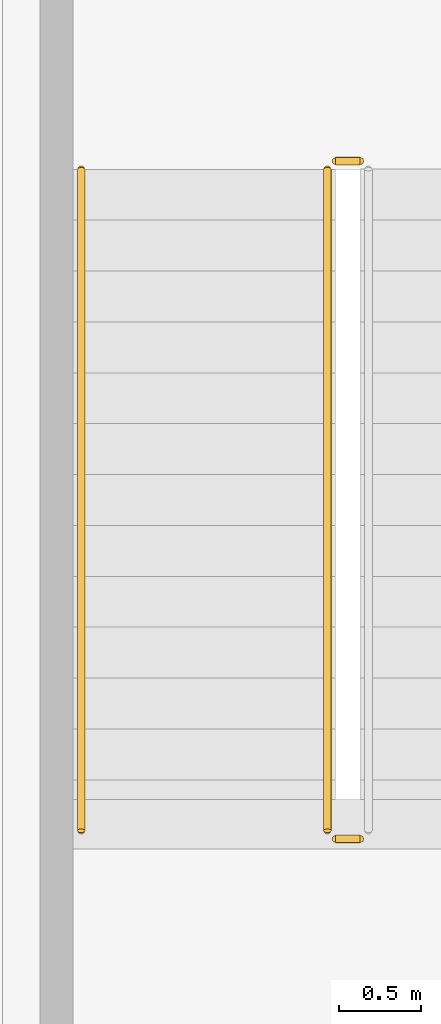
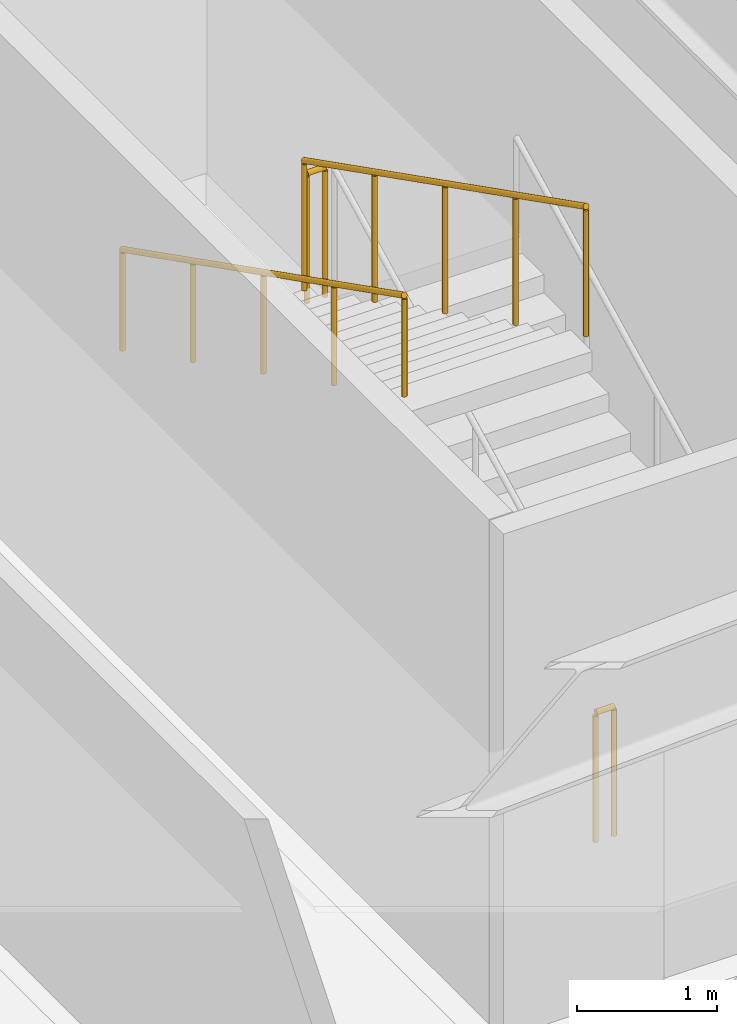
# One storey, part 19 of 24: 4 railings.
"""IFC4 building model written with IfcOpenShell, lengths in metres."""

from ifc_helpers import new_model, si_unit, direction, frame, origin, origin_2d, place, context, subcontext, project, spatial, circle, extrude, material, type_object, element, save


model = new_model("IFC4")

# Units and contexts
model_context = context("Model", 3, precision=1e-05, world=origin(), true_north=direction((0.0, 1.0)))
body_context = subcontext(model_context, "Body", "Model", "MODEL_VIEW")
ifc_project = project(units=[si_unit("LENGTHUNIT", "METRE"), si_unit("AREAUNIT", "SQUARE_METRE"), si_unit("VOLUMEUNIT", "CUBIC_METRE"), si_unit("PLANEANGLEUNIT", "RADIAN"), si_unit("MASSUNIT", "GRAM", prefix="KILO")], contexts=[model_context])

# Site, building, storey
site_placement = place(None, origin())
site = spatial("IfcSite", under=ifc_project, at=site_placement, CompositionType="ELEMENT")
building_placement = place(site_placement, origin())
building = spatial("IfcBuilding", under=site, at=building_placement, Name="Vaeldorn Concourse Tower", CompositionType="ELEMENT")
storey_placement = place(building_placement, frame((0.0, 0.0, 10.0)))
storey = spatial("IfcBuildingStorey", under=building, at=storey_placement, Name="L02", CompositionType="ELEMENT", Elevation=10.0)

# Railings
ifc_material = material(Name="Anodised Bronze Aluminium", Category="aluminium")
railing_type_1 = type_object("IfcRailingType", Name="RL-STAIR-GUARD", PredefinedType="GUARDRAIL", material=ifc_material)
railing_1_placement = place(storey_placement, frame((64.0, 8.929931640625, 2.199951171875)))
element("IfcRailing", 1, at=railing_1_placement, inside=storey, type_object=railing_type_1, Name="L02 ST-5 stair guard 2", PredefinedType="GUARDRAIL", context=body_context, shape_type="SweptSolid", body=[
    extrude(circle(Radius=0.02392578125, at=origin_2d()), frame((0.0, 0.0, 1.1259765625), z_axis=(-1.0, 0.0, 0.0), x_axis=(0.0, -1.0, 0.0)), (0.0, 0.0, 1.0), 0.14990234375),
    extrude(circle(Radius=0.02099609375, at=origin_2d()), origin(), (0.0, 0.0, 1.0), 1.101806640625),
    extrude(circle(Radius=0.02099609375, at=origin_2d()), frame((-0.14990234375, 0.0, 0.0)), (0.0, 0.0, 1.0), 1.101806640625),
])
railing_2_placement = place(storey_placement, frame((63.800048828125, 8.8798828125, 2.357177734375)))
element("IfcRailing", 2, at=railing_2_placement, inside=storey, type_object=railing_type_1, Name="L02 ST-5 stair guard 3", PredefinedType="GUARDRAIL", context=body_context, shape_type="SweptSolid", body=[
    extrude(circle(Radius=0.02392578125, at=origin_2d()), frame((0.0, 0.0, 1.1259765625), z_axis=(0.0, -0.891949485669, 0.452135062801), x_axis=(1.0, 0.0, 0.0)), (0.0, 0.0, 1.0), 4.51806640625),
    extrude(circle(Radius=0.02099609375, at=origin_2d()), origin(), (0.0, 0.0, 1.0), 1.101806640625),
    extrude(circle(Radius=0.02099609375, at=origin_2d()), frame((0.0, -1.00732421875, 0.5107421875)), (0.0, 0.0, 1.0), 1.101806640625),
    extrude(circle(Radius=0.02099609375, at=origin_2d()), frame((0.0, -2.014892578125, 1.021484375)), (0.0, 0.0, 1.0), 1.101806640625),
    extrude(circle(Radius=0.02099609375, at=origin_2d()), frame((0.0, -3.0224609375, 1.531982421875)), (0.0, 0.0, 1.0), 1.101806640625),
    extrude(circle(Radius=0.02099609375, at=origin_2d()), frame((0.0, -4.02978515625, 2.042724609375)), (0.0, 0.0, 1.0), 1.101806640625),
])
railing_3_placement = place(storey_placement, frame((64.0, 4.800048828125, 0.0)))
element("IfcRailing", 3, at=railing_3_placement, inside=storey, type_object=railing_type_1, Name="L02 ST-5 stair guard 4", PredefinedType="GUARDRAIL", context=body_context, shape_type="SweptSolid", body=[
    extrude(circle(Radius=0.02392578125, at=origin_2d()), frame((0.0, 0.0, 1.1259765625), z_axis=(-1.0, 0.0, 0.0), x_axis=(0.0, -1.0, 0.0)), (0.0, 0.0, 1.0), 0.14990234375),
    extrude(circle(Radius=0.02099609375, at=origin_2d()), origin(), (0.0, 0.0, 1.0), 1.101806640625),
    extrude(circle(Radius=0.02099609375, at=origin_2d()), frame((-0.14990234375, 0.0, 0.0)), (0.0, 0.0, 1.0), 1.101806640625),
])
railing_type_2 = type_object("IfcRailingType", Name="RL-STAIR-HANDRAIL", PredefinedType="HANDRAIL", material=ifc_material)
railing_4_placement = place(storey_placement, frame((62.300048828125, 8.8798828125, 2.357177734375)))
element("IfcRailing", 4, at=railing_4_placement, inside=storey, type_object=railing_type_2, Name="L02 ST-5 stair handrail 2", PredefinedType="HANDRAIL", context=body_context, shape_type="SweptSolid", body=[
    extrude(circle(Radius=0.02392578125, at=origin_2d()), frame((0.0, 0.0, 0.8759765625), z_axis=(0.0, -0.891949485669, 0.452135062801), x_axis=(1.0, 0.0, 0.0)), (0.0, 0.0, 1.0), 4.51806640625),
    extrude(circle(Radius=0.02099609375, at=origin_2d()), origin(), (0.0, 0.0, 1.0), 0.851806640625),
    extrude(circle(Radius=0.02099609375, at=origin_2d()), frame((0.0, -1.00732421875, 0.5107421875)), (0.0, 0.0, 1.0), 0.851806640625),
    extrude(circle(Radius=0.02099609375, at=origin_2d()), frame((0.0, -2.014892578125, 1.021484375)), (0.0, 0.0, 1.0), 0.851806640625),
    extrude(circle(Radius=0.02099609375, at=origin_2d()), frame((0.0, -3.0224609375, 1.531982421875)), (0.0, 0.0, 1.0), 0.851806640625),
    extrude(circle(Radius=0.02099609375, at=origin_2d()), frame((0.0, -4.02978515625, 2.042724609375)), (0.0, 0.0, 1.0), 0.851806640625),
])

save(model, "model.ifc")
